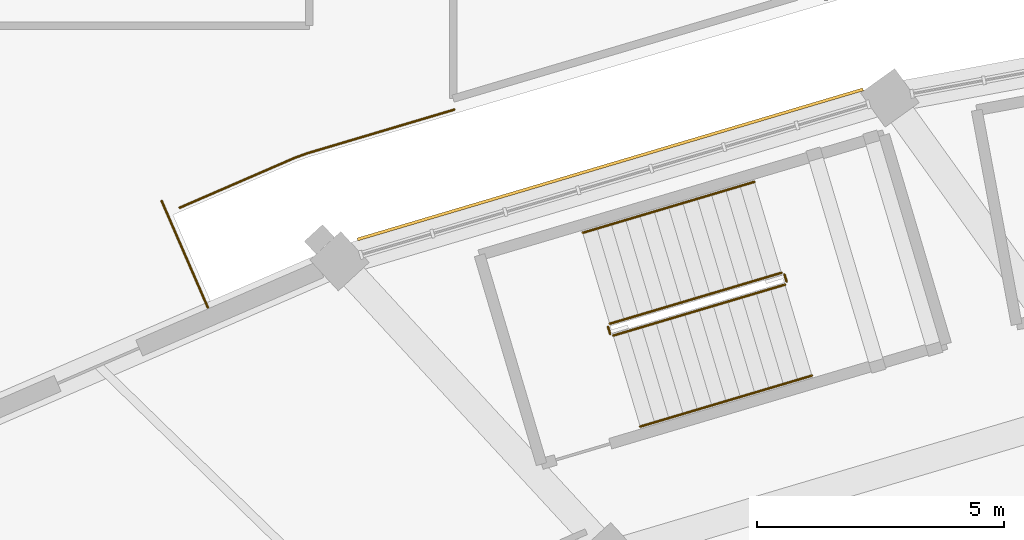
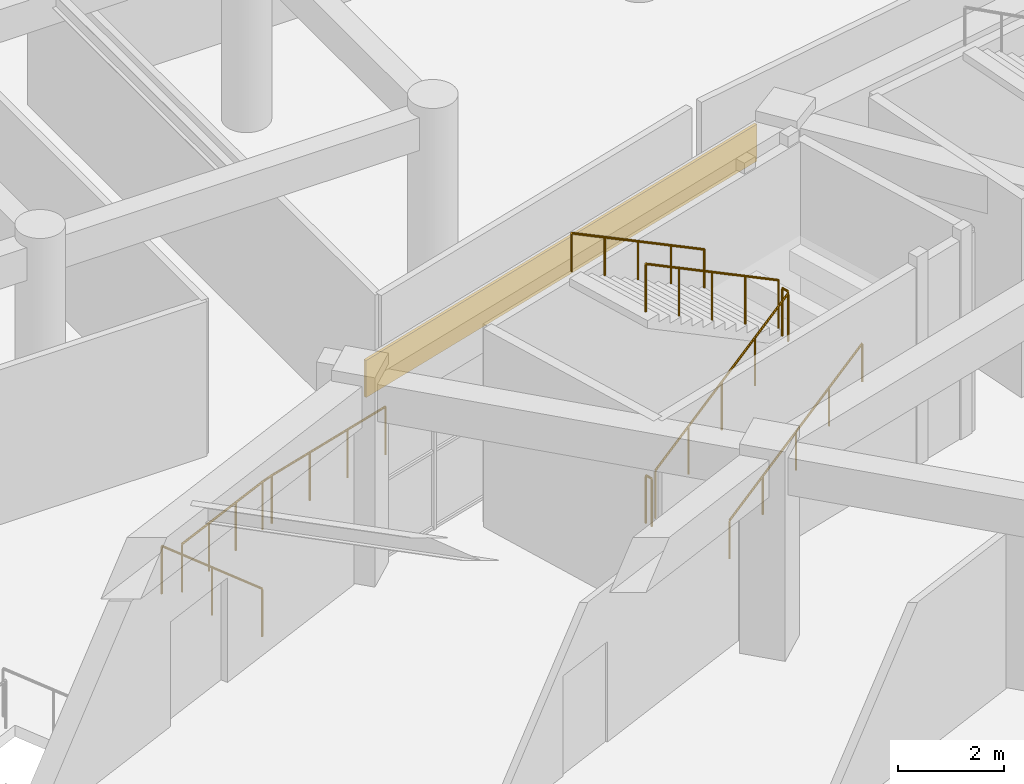
# One storey, part 145 of 152: 8 railings, 1 covering.
"""IFC4 building model written with IfcOpenShell, lengths in metres."""

from ifc_helpers import new_model, si_unit, direction, frame, origin, origin_2d, place, context, subcontext, project, spatial, rectangle, circle, extrude, material, layer, layer_set, type_object, element, save


model = new_model("IFC4")

# Units and contexts
model_context = context("Model", 3, precision=1e-05, world=origin(), true_north=direction((0.0, 1.0)))
body_context = subcontext(model_context, "Body", "Model", "MODEL_VIEW")
ifc_project = project(units=[si_unit("LENGTHUNIT", "METRE"), si_unit("AREAUNIT", "SQUARE_METRE"), si_unit("VOLUMEUNIT", "CUBIC_METRE"), si_unit("PLANEANGLEUNIT", "RADIAN"), si_unit("MASSUNIT", "GRAM", prefix="KILO")], contexts=[model_context])

# Site, building, storey
site_placement = place(None, origin())
site = spatial("IfcSite", under=ifc_project, at=site_placement, CompositionType="ELEMENT")
building_placement = place(site_placement, origin())
building = spatial("IfcBuilding", under=site, at=building_placement, Name="Mphavela Belvedere Stadium", CompositionType="ELEMENT")
storey_placement = place(building_placement, frame((0.0, 0.0, 5.39990234375)))
storey = spatial("IfcBuildingStorey", under=building, at=storey_placement, Name="L01", CompositionType="ELEMENT", Elevation=5.39990234375)

# Covering
ifc_material_1 = material(Name="Carved classical limestone entablature frieze cladding", Category="masonry")
ifc_layer = layer(ifc_material_1, 0.06005859375)
ifc_layer_set = layer_set([ifc_layer], Name="Carved classical limestone entablature frieze cladding")
covering_type = type_object("IfcCoveringType", Name="COV-FRIEZE-CLAD", PredefinedType="CLADDING", material=ifc_layer_set)
covering_placement = place(storey_placement, frame((59.53955078125, 155.05078125, 3.594970703125), z_axis=(0.0, 0.0, 1.0), x_axis=(-0.958670893355, -0.284517342588, 0.0)))
element("IfcCovering", 1, at=covering_placement, inside=storey, type_object=covering_type, Name="Classical entablature frieze cladding L01-16", PredefinedType="CLADDING", context=body_context, shape_type="SweptSolid", body=[
    extrude(rectangle(XDim=10.670654296875, YDim=0.06005859375, at=origin_2d()), origin(), (0.0, 0.0, 1.0), 0.85009765625),
])

# Railings
ifc_material_2 = material(Name="Bronze and laminated glass stadium balustrade", Category="glass")
railing_type_1 = type_object("IfcRailingType", Name="RAL-BALUSTRADE-1120", PredefinedType="BALUSTRADE", material=ifc_material_2)
railing_1_placement = place(storey_placement, frame((51.397216796875, 152.15380859375, 0.0)))
element("IfcRailing", 2, at=railing_1_placement, inside=storey, type_object=railing_type_1, Name="Colonnade link bridge balustrade L01-17A", PredefinedType="BALUSTRADE", context=body_context, shape_type="SweptSolid", body=[
    extrude(circle(Radius=0.02392578125, at=origin_2d()), frame((0.0, 0.0, 1.09619140625), z_axis=(-0.397677406785, 0.917525302176, 0.0), x_axis=(-0.917525302176, -0.397677406785, 0.0)), (0.0, 0.0, 1.0), 2.35009765625),
    extrude(circle(Radius=0.02099609375, at=origin_2d()), origin(), (0.0, 0.0, 1.0), 1.072021484375),
    extrude(circle(Radius=0.02099609375, at=origin_2d()), frame((-0.46728515625, 1.078125, 0.0)), (0.0, 0.0, 1.0), 1.072021484375),
    extrude(circle(Radius=0.02099609375, at=origin_2d()), frame((-0.9345703125, 2.15625, 0.0)), (0.0, 0.0, 1.0), 1.072021484375),
])
railing_2_placement = place(storey_placement, frame((56.3837890625, 156.15869140625, 0.0)))
element("IfcRailing", 3, at=railing_2_placement, inside=storey, type_object=railing_type_1, Name="Peristyle wing gallery edge balustrade L01-33", PredefinedType="BALUSTRADE", context=body_context, shape_type="SweptSolid", body=[
    extrude(circle(Radius=0.02392578125, at=origin_2d()), frame((0.0, 0.0, 1.09619140625), z_axis=(-0.958628081437, -0.284661556028, 0.0), x_axis=(0.284661556028, -0.958628081437, 0.0)), (0.0, 0.0, 1.0), 3.10302734375),
    extrude(circle(Radius=0.02392578125, at=origin_2d()), frame((-2.974609375, -0.88330078125, 1.09619140625), z_axis=(-0.939740596708, -0.341888301786, 0.0), x_axis=(0.341888301786, -0.939740596708, 0.0)), (0.0, 0.0, 1.0), 0.27001953125),
    extrude(circle(Radius=0.02392578125, at=origin_2d()), frame((-3.228271484375, -0.9755859375, 1.09619140625), z_axis=(-0.917490104343, -0.397758605731, 0.0), x_axis=(0.397758605731, -0.917490104343, 0.0)), (0.0, 0.0, 1.0), 2.5380859375),
    extrude(circle(Radius=0.02099609375, at=origin_2d()), origin(), (0.0, 0.0, 1.0), 1.072021484375),
    extrude(circle(Radius=0.02099609375, at=origin_2d()), frame((-0.991455078125, -0.29443359375, 0.0)), (0.0, 0.0, 1.0), 1.072021484375),
    extrude(circle(Radius=0.02099609375, at=origin_2d()), frame((-1.983154296875, -0.5888671875, 0.0)), (0.0, 0.0, 1.0), 1.072021484375),
    extrude(circle(Radius=0.02099609375, at=origin_2d()), frame((-2.974609375, -0.88330078125, 0.0)), (0.0, 0.0, 1.0), 1.072021484375),
    extrude(circle(Radius=0.02099609375, at=origin_2d()), frame((-3.228271484375, -0.9755859375, 0.0)), (0.0, 0.0, 1.0), 1.072021484375),
    extrude(circle(Radius=0.02099609375, at=origin_2d()), frame((-4.00439453125, -1.31201171875, 0.0)), (0.0, 0.0, 1.0), 1.072021484375),
    extrude(circle(Radius=0.02099609375, at=origin_2d()), frame((-4.78076171875, -1.648681640625, 0.0)), (0.0, 0.0, 1.0), 1.072021484375),
    extrude(circle(Radius=0.02099609375, at=origin_2d()), frame((-5.556884765625, -1.985107421875, 0.0)), (0.0, 0.0, 1.0), 1.072021484375),
])
ifc_material_3 = material(Name="Painted galvanised steel stair guardrail", Category="steel")
railing_type_2 = type_object("IfcRailingType", Name="RAL-GUARD-1120", PredefinedType="GUARDRAIL", material=ifc_material_3)
railing_3_placement = place(storey_placement, frame((59.60009765625, 151.58642578125, 0.184814453125)))
element("IfcRailing", 4, at=railing_3_placement, inside=storey, type_object=railing_type_2, Name="L01 ST-P03 stair guard 1", PredefinedType="GUARDRAIL", context=body_context, shape_type="SweptSolid", body=[
    extrude(circle(Radius=0.02392578125, at=origin_2d()), frame((0.0, 0.0, 1.09619140625), z_axis=(0.817945638639, 0.242739594657, 0.521576860507), x_axis=(-0.284503482323, 0.958675006739, 0.0)), (0.0, 0.0, 1.0), 4.247314453125),
    extrude(circle(Radius=0.02099609375, at=origin_2d()), origin(), (0.0, 0.0, 1.0), 1.072021484375),
    extrude(circle(Radius=0.02099609375, at=origin_2d()), frame((0.86865234375, 0.2578125, 0.5537109375)), (0.0, 0.0, 1.0), 1.072021484375),
    extrude(circle(Radius=0.02099609375, at=origin_2d()), frame((1.737060546875, 0.515625, 1.107666015625)), (0.0, 0.0, 1.0), 1.072021484375),
    extrude(circle(Radius=0.02099609375, at=origin_2d()), frame((2.60546875, 0.773193359375, 1.66162109375)), (0.0, 0.0, 1.0), 1.072021484375),
    extrude(circle(Radius=0.02099609375, at=origin_2d()), frame((3.47412109375, 1.031005859375, 2.21533203125)), (0.0, 0.0, 1.0), 1.072021484375),
])
railing_4_placement = place(storey_placement, frame((63.10791015625, 152.679443359375, 2.400146484375)))
element("IfcRailing", 5, at=railing_4_placement, inside=storey, type_object=railing_type_2, Name="L01 ST-P03 stair guard 2", PredefinedType="GUARDRAIL", context=body_context, shape_type="SweptSolid", body=[
    extrude(circle(Radius=0.02392578125, at=origin_2d()), frame((0.0, 0.0, 1.09619140625), z_axis=(-0.284808608521, 0.958584402394, 0.0), x_axis=(-0.958584402394, -0.284808608521, 0.0)), (0.0, 0.0, 1.0), 0.14990234375),
    extrude(circle(Radius=0.02099609375, at=origin_2d()), origin(), (0.0, 0.0, 1.0), 1.072021484375),
    extrude(circle(Radius=0.02099609375, at=origin_2d()), frame((-0.042724609375, 0.143798828125, 0.0)), (0.0, 0.0, 1.0), 1.072021484375),
])
railing_5_placement = place(storey_placement, frame((63.003173828125, 152.857177734375, 2.584716796875)))
element("IfcRailing", 6, at=railing_5_placement, inside=storey, type_object=railing_type_2, Name="L01 ST-P03 stair guard 3", PredefinedType="GUARDRAIL", context=body_context, shape_type="SweptSolid", body=[
    extrude(circle(Radius=0.02392578125, at=origin_2d()), frame((0.0, 0.0, 1.09619140625), z_axis=(-0.817953248379, -0.242782272585, 0.521545061893), x_axis=(0.284547020377, -0.958662084988, 0.0)), (0.0, 0.0, 1.0), 4.24755859375),
    extrude(circle(Radius=0.02099609375, at=origin_2d()), origin(), (0.0, 0.0, 1.0), 1.072021484375),
    extrude(circle(Radius=0.02099609375, at=origin_2d()), frame((-0.86865234375, -0.2578125, 0.5537109375)), (0.0, 0.0, 1.0), 1.072021484375),
    extrude(circle(Radius=0.02099609375, at=origin_2d()), frame((-1.7373046875, -0.515625, 1.107666015625)), (0.0, 0.0, 1.0), 1.072021484375),
    extrude(circle(Radius=0.02099609375, at=origin_2d()), frame((-2.605712890625, -0.7734375, 1.66162109375)), (0.0, 0.0, 1.0), 1.072021484375),
    extrude(circle(Radius=0.02099609375, at=origin_2d()), frame((-3.474365234375, -1.03125, 2.21533203125)), (0.0, 0.0, 1.0), 1.072021484375),
])
railing_6_placement = place(storey_placement, frame((59.537841796875, 151.6201171875, 0.0)))
element("IfcRailing", 7, at=railing_6_placement, inside=storey, type_object=railing_type_2, Name="L01 ST-P03 stair guard 4", PredefinedType="GUARDRAIL", context=body_context, shape_type="SweptSolid", body=[
    extrude(circle(Radius=0.02392578125, at=origin_2d()), frame((0.0, 0.0, 1.09619140625), z_axis=(-0.284808608521, 0.958584402394, 0.0), x_axis=(-0.958584402394, -0.284808608521, 0.0)), (0.0, 0.0, 1.0), 0.14990234375),
    extrude(circle(Radius=0.02099609375, at=origin_2d()), origin(), (0.0, 0.0, 1.0), 1.072021484375),
    extrude(circle(Radius=0.02099609375, at=origin_2d()), frame((-0.042724609375, 0.143798828125, 0.0)), (0.0, 0.0, 1.0), 1.072021484375),
])
ifc_material_4 = material(Name="Brushed stainless steel tubular handrail", Category="steel")
railing_type_3 = type_object("IfcRailingType", Name="RAL-HANDRAIL-900", PredefinedType="HANDRAIL", material=ifc_material_4)
railing_7_placement = place(storey_placement, frame((60.146240234375, 149.74560546875, 0.184814453125)))
element("IfcRailing", 8, at=railing_7_placement, inside=storey, type_object=railing_type_3, Name="L01 ST-P03 stair handrail 1", PredefinedType="HANDRAIL", context=body_context, shape_type="SweptSolid", body=[
    extrude(circle(Radius=0.02392578125, at=origin_2d()), frame((0.0, 0.0, 0.8759765625), z_axis=(0.817953248379, 0.242782272585, 0.521545061893), x_axis=(-0.284547020377, 0.958662084988, 0.0)), (0.0, 0.0, 1.0), 4.24755859375),
    extrude(circle(Radius=0.02099609375, at=origin_2d()), origin(), (0.0, 0.0, 1.0), 0.851806640625),
    extrude(circle(Radius=0.02099609375, at=origin_2d()), frame((0.86865234375, 0.2578125, 0.5537109375)), (0.0, 0.0, 1.0), 0.851806640625),
    extrude(circle(Radius=0.02099609375, at=origin_2d()), frame((1.7373046875, 0.515625, 1.107666015625)), (0.0, 0.0, 1.0), 0.851806640625),
    extrude(circle(Radius=0.02099609375, at=origin_2d()), frame((2.605712890625, 0.7734375, 1.66162109375)), (0.0, 0.0, 1.0), 0.851806640625),
    extrude(circle(Radius=0.02099609375, at=origin_2d()), frame((3.474365234375, 1.03125, 2.21533203125)), (0.0, 0.0, 1.0), 0.851806640625),
])
railing_8_placement = place(storey_placement, frame((62.456787109375, 154.69775390625, 2.584716796875)))
element("IfcRailing", 9, at=railing_8_placement, inside=storey, type_object=railing_type_3, Name="L01 ST-P03 stair handrail 2", PredefinedType="HANDRAIL", context=body_context, shape_type="SweptSolid", body=[
    extrude(circle(Radius=0.02392578125, at=origin_2d()), frame((0.0, 0.0, 0.8759765625), z_axis=(-0.817934224927, -0.242793687006, 0.52156958236), x_axis=(0.284565397459, -0.95865663017, 0.0)), (0.0, 0.0, 1.0), 4.247314453125),
    extrude(circle(Radius=0.02099609375, at=origin_2d()), origin(), (0.0, 0.0, 1.0), 0.851806640625),
    extrude(circle(Radius=0.02099609375, at=origin_2d()), frame((-0.86865234375, -0.2578125, 0.5537109375)), (0.0, 0.0, 1.0), 0.851806640625),
    extrude(circle(Radius=0.02099609375, at=origin_2d()), frame((-1.737060546875, -0.515625, 1.107666015625)), (0.0, 0.0, 1.0), 0.851806640625),
    extrude(circle(Radius=0.02099609375, at=origin_2d()), frame((-2.60546875, -0.7734375, 1.66162109375)), (0.0, 0.0, 1.0), 0.851806640625),
    extrude(circle(Radius=0.02099609375, at=origin_2d()), frame((-3.47412109375, -1.03125, 2.21533203125)), (0.0, 0.0, 1.0), 0.851806640625),
])

save(model, "model.ifc")
